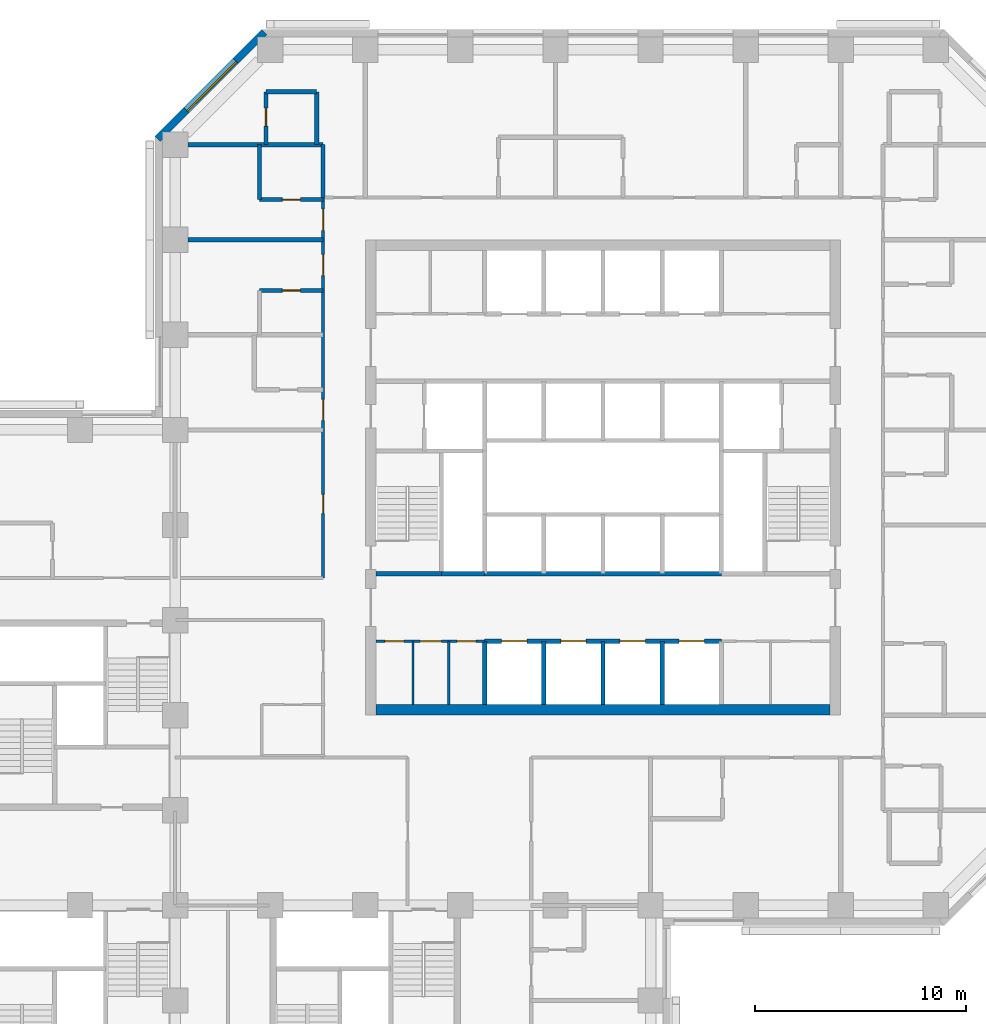
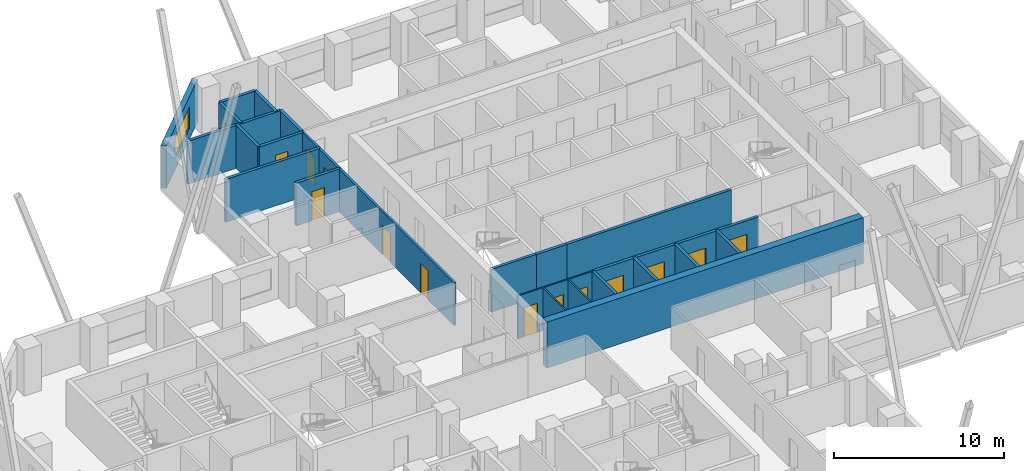
# One storey, part 8 of 13: 23 walls, 14 doors, 1 window, 15 openings.
"""IFC4 building model written with IfcOpenShell, lengths in metres."""

import ifcopenshell
import ifcopenshell.guid

model = None  # the IFC model being written
_history = None  # IfcOwnerHistory: only IFC2X3 demands one
_inside = {}  # id of a spatial element -> (the spatial element, [elements in it])
_under = {}  # id of a project, library or spatial element -> (it, [spatial elements below it])
_declared = {}  # id of a project -> (the project, [libraries it declares])
_typed = {}  # id of a type object -> (the type object, [elements of that type])
_made_of = {}  # id of a material, layer set ... -> (it, [elements and type objects made of it])


def new_model(schema):
    """Start an empty IFC model of exactly this schema.

    Asked for "IFC4X3", IfcOpenShell would pick the latest addendum, in which some entities
    have other attributes; the version numbers below select the first issue.
    IFC2X3 requires an IfcOwnerHistory on every rooted entity: one is made here for all.
    """
    global model, _history
    if schema == "IFC4X3":
        model = ifcopenshell.file(schema_version=(4, 3, 0, 0))
    else:
        model = ifcopenshell.file(schema=schema)
    _inside.clear()
    _under.clear()
    _declared.clear()
    _typed.clear()
    _made_of.clear()
    _history = None
    if model.schema == "IFC2X3":
        org = make("IfcOrganization", Name="unknown")
        user = make(
            "IfcPersonAndOrganization",
            ThePerson=make("IfcPerson", FamilyName="unknown"),
            TheOrganization=org,
        )
        app = make(
            "IfcApplication",
            ApplicationDeveloper=org,
            Version="unknown",
            ApplicationFullName="unknown",
            ApplicationIdentifier="unknown",
        )
        _history = make(
            "IfcOwnerHistory",
            OwningUser=user,
            OwningApplication=app,
            ChangeAction="ADDED",
            CreationDate=0,
        )
    return model


def make(cls, **values):
    """One entity of the class cls with the attributes given. An attribute that is None is left unset."""
    return model.create_entity(
        cls, **{name: value for name, value in values.items() if value is not None}
    )


def rooted(cls, **values):
    """An entity with a GlobalId (a new one), such as an element, a storey or a relation."""
    return make(cls, GlobalId=ifcopenshell.guid.new(), OwnerHistory=_history, **values)


def si_unit(unit_type, name, prefix=None):
    """IfcSIUnit, for example si_unit("LENGTHUNIT", "METRE", prefix="MILLI")."""
    return make("IfcSIUnit", UnitType=unit_type, Prefix=prefix, Name=name)


def assignment(units):
    """IfcUnitAssignment: the units of a project."""
    return None if units is None else make("IfcUnitAssignment", Units=units)


def point(xyz):
    """IfcCartesianPoint."""
    return None if xyz is None else make("IfcCartesianPoint", Coordinates=xyz)


def direction(xyz):
    """IfcDirection."""
    return None if xyz is None else make("IfcDirection", DirectionRatios=xyz)


def frame(location, z_axis=None, x_axis=None):
    """IfcAxis2Placement3D, a coordinate frame: its origin and axes. An axis left out is left unset."""
    return make(
        "IfcAxis2Placement3D",
        Location=point(location),
        Axis=direction(z_axis),
        RefDirection=direction(x_axis),
    )


def frame_2d(location, x_axis=None):
    """IfcAxis2Placement2D, a coordinate frame in the plane: its origin and x axis."""
    return make(
        "IfcAxis2Placement2D", Location=point(location), RefDirection=direction(x_axis)
    )


def origin():
    """The frame at (0, 0, 0) with its axes left unset."""
    return frame((0.0, 0.0, 0.0))


def place(relative_to, where):
    """IfcLocalPlacement: puts the frame where relative to a parent placement (None: the world)."""
    return make(
        "IfcLocalPlacement", PlacementRelTo=relative_to, RelativePlacement=where
    )


def context(
    kind, dimensions, precision=None, world=None, true_north=None, identifier=None
):
    """IfcGeometricRepresentationContext, for example the 3D "Model" context."""
    return make(
        "IfcGeometricRepresentationContext",
        ContextIdentifier=identifier,
        ContextType=kind,
        CoordinateSpaceDimension=dimensions,
        Precision=precision,
        WorldCoordinateSystem=world,
        TrueNorth=true_north,
    )


def subcontext(parent, identifier, kind, view, scale=None):
    """IfcGeometricRepresentationSubContext, for example "Body" below "Model"."""
    return make(
        "IfcGeometricRepresentationSubContext",
        ContextIdentifier=identifier,
        ContextType=kind,
        ParentContext=parent,
        TargetScale=scale,
        TargetView=view,
    )


def project(units=None, contexts=None):
    """IfcProject with its units and contexts."""
    return rooted(
        "IfcProject",
        Name="project",
        RepresentationContexts=contexts,
        UnitsInContext=assignment(units),
    )


def spatial(cls, under=None, at=None, **own):
    """A site, building, storey or space (cls), placed at a placement, below another one or the project."""
    s = rooted(cls, ObjectPlacement=at, **own)
    if under is not None:
        _under.setdefault(under.id(), (under, []))[1].append(s)
    return s


def profile(cls, at=None, kind="AREA", **sizes):
    """A parametric profile (cls). Its sizes go by their IFC names, for example OverallWidth=200.0."""
    return make(cls, ProfileType=kind, Position=at, **sizes)


def rectangle(**sizes):
    """IfcRectangleProfileDef."""
    return profile("IfcRectangleProfileDef", **sizes)


def extrude(swept, where, along, depth):
    """IfcExtrudedAreaSolid: the profile swept, set in the frame where, extruded along a direction by depth."""
    return make(
        "IfcExtrudedAreaSolid",
        SweptArea=swept,
        Position=where,
        ExtrudedDirection=direction(along),
        Depth=depth,
    )


def shape(context_of_items, identifier, shape_type, items):
    """IfcShapeRepresentation: the items that make up one representation, for example the "Body"."""
    return make(
        "IfcShapeRepresentation",
        ContextOfItems=context_of_items,
        RepresentationIdentifier=identifier,
        RepresentationType=shape_type,
        Items=items,
    )


def material(Name=None, Category=None):
    """IfcMaterial."""
    return make("IfcMaterial", Name=Name, Category=Category)


def layer(
    of_material, thickness, ventilated=None, Name=None, Category=None, Priority=None
):
    """IfcMaterialLayer: one layer of a wall or slab, of a material (None: an air gap)."""
    return make(
        "IfcMaterialLayer",
        Material=of_material,
        LayerThickness=thickness,
        IsVentilated=ventilated,
        Name=Name,
        Category=Category,
        Priority=Priority,
    )


def layer_set(layers, Name=None):
    """IfcMaterialLayerSet."""
    return make("IfcMaterialLayerSet", MaterialLayers=layers, LayerSetName=Name)


def constituent(of_material, Name=None, Category=None, fraction=None):
    """IfcMaterialConstituent: one of the materials an element consists of."""
    return make(
        "IfcMaterialConstituent",
        Name=Name,
        Material=of_material,
        Fraction=fraction,
        Category=Category,
    )


def constituent_set(constituents=None, Name=None):
    """IfcMaterialConstituentSet."""
    return make(
        "IfcMaterialConstituentSet", Name=Name, MaterialConstituents=constituents
    )


def made_of(thing, what):
    """Note that an element or type object is made of a material, layer set ...; save() writes the relation."""
    if what is not None:
        _made_of.setdefault(what.id(), (what, []))[1].append(thing)
    return thing


def type_object(cls, material=None, **own):
    """A type object (cls), such as IfcWallType, which elements share."""
    return made_of(rooted(cls, **own), material)


def element(
    cls,
    number,
    at=None,
    inside=None,
    cuts=None,
    type_object=None,
    material=None,
    context=None,
    identifier="Body",
    shape_type=None,
    held_by="IfcProductDefinitionShape",
    body=None,
    shapes=None,
    **own,
):
    """One element of the class cls, such as IfcWall. Its Tag is "e" and its number.

    at: its placement. inside: the storey or other place that contains it. cuts: it is an
    opening in that element (IfcRelVoidsElement). A single representation is given by context,
    identifier, shape_type and body (its items); several are given by shapes. held_by: the class
    of the entity that holds the representations. save() writes the other relations.
    """
    e = rooted(cls, Tag="e%d" % number, ObjectPlacement=at, **own)
    if body is not None:
        shapes = [shape(context, identifier, shape_type, body)]
    if shapes is not None:
        e.Representation = make(held_by, Representations=shapes)
    if inside is not None:
        _inside.setdefault(inside.id(), (inside, []))[1].append(e)
    if cuts is not None:
        rooted(
            "IfcRelVoidsElement", RelatingBuildingElement=cuts, RelatedOpeningElement=e
        )
    if type_object is not None:
        _typed.setdefault(type_object.id(), (type_object, []))[1].append(e)
    return made_of(e, material)


def fill(opening, filler):
    """IfcRelFillsElement: the door or window that sits in an opening."""
    return rooted(
        "IfcRelFillsElement",
        RelatingOpeningElement=opening,
        RelatedBuildingElement=filler,
    )


def aggregate(whole, parts):
    """IfcRelAggregates: a whole, such as a stair, and the parts it consists of."""
    return rooted("IfcRelAggregates", RelatingObject=whole, RelatedObjects=parts)


def save(model, path):
    """Write the relations noted so far, then the file.

    IfcRelAggregates (storeys below a building ...), IfcRelContainedInSpatialStructure (elements
    in a storey), IfcRelDefinesByType, IfcRelAssociatesMaterial and IfcRelDeclares: one each for
    every whole, place, type object, material and project.
    """
    for whole, parts in _under.values():
        aggregate(whole, parts)
    for where, things in _inside.values():
        rooted(
            "IfcRelContainedInSpatialStructure",
            RelatedElements=things,
            RelatingStructure=where,
        )
    for kind, things in _typed.values():
        rooted("IfcRelDefinesByType", RelatedObjects=things, RelatingType=kind)
    for what, things in _made_of.values():
        rooted("IfcRelAssociatesMaterial", RelatedObjects=things, RelatingMaterial=what)
    for by, libraries in _declared.values():
        rooted("IfcRelDeclares", RelatingContext=by, RelatedDefinitions=libraries)
    model.write(path)


model = new_model("IFC4")

# Units and contexts
model_context = context("Model", 3, precision=1e-05, world=origin(), true_north=direction((0.0, 1.0)))
body_context = subcontext(model_context, "Body", "Model", "MODEL_VIEW")
ifc_project = project(units=[si_unit("LENGTHUNIT", "METRE"), si_unit("AREAUNIT", "SQUARE_METRE"), si_unit("VOLUMEUNIT", "CUBIC_METRE"), si_unit("PLANEANGLEUNIT", "RADIAN"), si_unit("MASSUNIT", "GRAM", prefix="KILO")], contexts=[model_context])

# Site, building, storey
site_placement = place(None, origin())
site = spatial("IfcSite", under=ifc_project, at=site_placement, CompositionType="ELEMENT")
building_placement = place(site_placement, origin())
building = spatial("IfcBuilding", under=site, at=building_placement, Name="Quoin Convention Tower", CompositionType="ELEMENT")
storey_placement = place(building_placement, frame((0.0, 0.0, 52.800048828125)))
storey = spatial("IfcBuildingStorey", under=building, at=storey_placement, Name="L13", CompositionType="ELEMENT", Elevation=52.800048828125)

# Wall, opening, window
ifc_material_1 = material(Name="Brick masonry", Category="masonry")
ifc_layer_1 = layer(ifc_material_1, 0.35009765625)
ifc_layer_set_1 = layer_set([ifc_layer_1], Name="Brick masonry")
wall_type_1 = type_object("IfcWallType", Name="Brick facade wall", PredefinedType="STANDARD", material=ifc_layer_set_1)
wall_1_placement = place(storey_placement, frame((40.230224609375, 81.826416015625, 0.0), z_axis=(0.0, 0.0, 1.0), x_axis=(-0.707106781187, -0.707106781187, 0.0)))
wall_1 = element("IfcWall", 1, at=wall_1_placement, inside=storey, type_object=wall_type_1, Name="fw-L13-40500_81000", PredefinedType="STANDARD", context=body_context, shape_type="SweptSolid", body=[
    extrude(rectangle(XDim=7.151123046875, YDim=0.35009765625, at=frame_2d((3.57568359375, 0.0))), origin(), (0.0, 0.0, 1.0), 3.054931640625),
])
opening_1_placement = place(wall_1_placement, frame((1.925537109375, 0.0, 0.800048828125)))
opening_1 = element("IfcOpeningElement", 2, at=opening_1_placement, cuts=wall_1, Name="Opening W-01", PredefinedType="OPENING", context=body_context, shape_type="SweptSolid", body=[
    extrude(rectangle(XDim=3.300048828125, YDim=1.5, at=frame_2d((1.64990234375, 0.75))), frame((0.0, 0.18505859375, 0.0), z_axis=(0.0, -1.0, 0.0), x_axis=(1.0, 0.0, 0.0)), (0.0, 0.0, 1.0), 0.3701171875),
])
ifc_material_2 = material(Name="Aluminium", Category="aluminium")
ifc_constituent_1 = constituent(ifc_material_2, Name="Frame")
ifc_material_3 = material(Name="Insulated glass", Category="glass")
ifc_constituent_2 = constituent(ifc_material_3, Name="Glazing")
ifc_constituent_set = constituent_set(constituents=[ifc_constituent_1, ifc_constituent_2], Name="Aluminium")
window_type = type_object("IfcWindowType", Name="Hotel strip window", PartitioningType="DOUBLE_PANEL_VERTICAL", PredefinedType="WINDOW", material=ifc_constituent_set)
window_placement = place(opening_1_placement, origin())
window = element("IfcWindow", 3, at=window_placement, inside=storey, type_object=window_type, Name="win-L13-37702_79298", OverallHeight=1.5, OverallWidth=3.300048828125, PartitioningType="SINGLE_PANEL", PredefinedType="WINDOW", context=body_context, shape_type="SweptSolid", body=[
    extrude(rectangle(XDim=3.300048828125, YDim=1.5, at=frame_2d((1.64990234375, 0.75))), frame((0.0, 0.0849609375, 0.0), z_axis=(0.0, -1.0, 0.0), x_axis=(1.0, 0.0, 0.0)), (0.0, 0.0, 1.0), 0.06005859375),
])
fill(opening_1, window)

# Wall, openings, doors
ifc_material_4 = material(Name="Plasterboard")
ifc_layer_2 = layer(ifc_material_4, 0.012451171875, Name="Finish")
ifc_material_5 = material(Name="Steel stud framing", Category="steel")
ifc_layer_3 = layer(ifc_material_5, 0.074951171875, Name="Structure")
ifc_layer_4 = layer(ifc_material_4, 0.012451171875, Name="Finish")
ifc_layer_set_2 = layer_set([ifc_layer_2, ifc_layer_3, ifc_layer_4], Name="Steel stud framing")
wall_type_2 = type_object("IfcWallType", Name="Core partition wall", PredefinedType="PARTITIONING", material=ifc_layer_set_2)
wall_2_placement = place(storey_placement, frame((45.5, 53.0, 0.0), z_axis=(0.0, 0.0, 1.0), x_axis=(1.0, 0.0, 0.0)))
wall_2 = element("IfcWall", 4, at=wall_2_placement, inside=storey, type_object=wall_type_2, Name="cr-C1-L13-h3500_500", PredefinedType="PARTITIONING", context=body_context, shape_type="SweptSolid", body=[
    extrude(rectangle(XDim=5.14990234375, YDim=0.10009765625, at=frame_2d((2.574951171875, 0.0))), origin(), (0.0, 0.0, 1.0), 3.079833984375),
])
opening_2_placement = place(wall_2_placement, frame((0.425537109375, 0.0, 0.0)))
opening_2 = element("IfcOpeningElement", 5, at=opening_2_placement, cuts=wall_2, Name="Opening DCV5-44", PredefinedType="OPENING", context=body_context, shape_type="SweptSolid", body=[
    extrude(rectangle(XDim=0.89990234375, YDim=2.10009765625, at=frame_2d((0.449951171875, 1.050048828125))), frame((0.0, 0.06005859375, 0.0), z_axis=(0.0, -1.0, 0.0), x_axis=(1.0, 0.0, 0.0)), (0.0, 0.0, 1.0), 0.1201171875),
])
opening_3_placement = place(wall_2_placement, frame((2.1005859375, 0.0, 0.0)))
opening_3 = element("IfcOpeningElement", 6, at=opening_3_placement, cuts=wall_2, Name="Opening DCV5-45", PredefinedType="OPENING", context=body_context, shape_type="SweptSolid", body=[
    extrude(rectangle(XDim=1.0, YDim=2.10009765625, at=frame_2d((0.5, 1.050048828125))), frame((0.0, 0.06005859375, 0.0), z_axis=(0.0, -1.0, 0.0), x_axis=(1.0, 0.0, 0.0)), (0.0, 0.0, 1.0), 0.1201171875),
])
opening_4_placement = place(wall_2_placement, frame((3.85009765625, 0.0, 0.0)))
opening_4 = element("IfcOpeningElement", 7, at=opening_4_placement, cuts=wall_2, Name="Opening DCV5-46", PredefinedType="OPENING", context=body_context, shape_type="SweptSolid", body=[
    extrude(rectangle(XDim=0.89990234375, YDim=2.10009765625, at=frame_2d((0.449951171875, 1.050048828125))), frame((0.0, 0.06005859375, 0.0), z_axis=(0.0, -1.0, 0.0), x_axis=(1.0, 0.0, 0.0)), (0.0, 0.0, 1.0), 0.1201171875),
])
ifc_material_6 = material(Name="Steel door leaf", Category="steel")
door_type_1 = type_object("IfcDoorType", Name="Core room door 1000 x 2100", OperationType="SINGLE_SWING_LEFT", PredefinedType="DOOR", material=ifc_material_6)
door_1_placement = place(opening_3_placement, frame((1.0, 0.0, 0.0), z_axis=(0.0, 0.0, 1.0), x_axis=(-1.0, 0.0, 0.0)))
door_1 = element("IfcDoor", 8, at=door_1_placement, inside=storey, type_object=door_type_1, Name="cd-C1-L13-CSW1-lobA-CD1313", OperationType="SINGLE_SWING_LEFT", OverallHeight=2.10009765625, OverallWidth=1.0, PredefinedType="DOOR", context=body_context, shape_type="SweptSolid", body=[
    extrude(rectangle(XDim=1.0, YDim=2.10009765625, at=frame_2d((0.5, 1.050048828125))), frame((0.0, 0.02490234375, 0.0), z_axis=(0.0, -1.0, 0.0), x_axis=(1.0, 0.0, 0.0)), (0.0, 0.0, 1.0), 0.050048828125),
])
fill(opening_3, door_1)
door_type_2 = type_object("IfcDoorType", Name="Core room door 900 x 2100", OperationType="SINGLE_SWING_LEFT", PredefinedType="DOOR", material=ifc_material_6)
door_2_placement = place(opening_2_placement, frame((0.89990234375, 0.0, 0.0), z_axis=(0.0, 0.0, 1.0), x_axis=(-1.0, 0.0, 0.0)))
door_2 = element("IfcDoor", 9, at=door_2_placement, inside=storey, type_object=door_type_2, Name="cd-C1-L13-CSW0-lobA-CD1312", OperationType="SINGLE_SWING_LEFT", OverallHeight=2.10009765625, OverallWidth=0.89990234375, PredefinedType="DOOR", context=body_context, shape_type="SweptSolid", body=[
    extrude(rectangle(XDim=0.89990234375, YDim=2.10009765625, at=frame_2d((0.449951171875, 1.050048828125))), frame((0.0, 0.02490234375, 0.0), z_axis=(0.0, -1.0, 0.0), x_axis=(1.0, 0.0, 0.0)), (0.0, 0.0, 1.0), 0.050048828125),
])
fill(opening_2, door_2)
door_3_placement = place(opening_4_placement, frame((0.89990234375, 0.0, 0.0), z_axis=(0.0, 0.0, 1.0), x_axis=(-1.0, 0.0, 0.0)))
door_3 = element("IfcDoor", 10, at=door_3_placement, inside=storey, type_object=door_type_2, Name="cd-C1-L13-CSW2-lobA-CD1314", OperationType="SINGLE_SWING_LEFT", OverallHeight=2.10009765625, OverallWidth=0.89990234375, PredefinedType="DOOR", context=body_context, shape_type="SweptSolid", body=[
    extrude(rectangle(XDim=0.89990234375, YDim=2.10009765625, at=frame_2d((0.449951171875, 1.050048828125))), frame((0.0, 0.02490234375, 0.0), z_axis=(0.0, -1.0, 0.0), x_axis=(1.0, 0.0, 0.0)), (0.0, 0.0, 1.0), 0.050048828125),
])
fill(opening_4, door_3)

# Walls
for number, where, z_axis, x_axis, name in (
    (11, (47.2509765625, 50.0, 0.0), (0.0, 0.0, 1.0), (0.0, 1.0, 0.0), "cr-C1-L13-v2251_500"),
    (12, (48.950439453125, 50.0, 0.0), (0.0, 0.0, 1.0), (0.0, 1.0, 0.0), "cr-C1-L13-v3950_500"),
):
    element("IfcWall", number, at=place(storey_placement, frame(where, z_axis=z_axis, x_axis=x_axis)), inside=storey, type_object=wall_type_2, Name=name, PredefinedType="PARTITIONING", context=body_context, shape_type="SweptSolid", body=[
        extrude(rectangle(XDim=3.0, YDim=0.10009765625, at=frame_2d((1.5, 0.0))), origin(), (0.0, 0.0, 1.0), 3.079833984375),
    ])

# Wall, openings, doors
ifc_material_7 = material(Name="Concrete C50", Category="concrete")
ifc_layer_5 = layer(ifc_material_7, 0.199951171875)
ifc_layer_set_3 = layer_set([ifc_layer_5], Name="Concrete C50")
wall_type_3 = type_object("IfcWallType", Name="Core shaft wall", PredefinedType="SOLIDWALL", material=ifc_layer_set_3)
wall_3_placement = place(storey_placement, frame((50.64990234375, 53.0, 0.0), z_axis=(0.0, 0.0, 1.0), x_axis=(1.0, 0.0, 0.0)))
wall_3 = element("IfcWall", 13, at=wall_3_placement, inside=storey, type_object=wall_type_3, Name="cr-C1-L13-h3500_5650", PredefinedType="SOLIDWALL", context=body_context, shape_type="SweptSolid", body=[
    extrude(rectangle(XDim=11.2001953125, YDim=0.199951171875, at=frame_2d((5.60009765625, 0.0))), origin(), (0.0, 0.0, 1.0), 3.079833984375),
])
opening_5_placement = place(wall_3_placement, frame((0.800048828125, 0.0, 0.0)))
opening_5 = element("IfcOpeningElement", 14, at=opening_5_placement, cuts=wall_3, Name="Opening LDL1", PredefinedType="OPENING", context=body_context, shape_type="SweptSolid", body=[
    extrude(rectangle(XDim=1.199951171875, YDim=2.10009765625, at=frame_2d((0.60009765625, 1.050048828125))), frame((0.0, 0.10986328125, 0.0), z_axis=(0.0, -1.0, 0.0), x_axis=(1.0, 0.0, 0.0)), (0.0, 0.0, 1.0), 0.219970703125),
])
opening_6_placement = place(wall_3_placement, frame((3.60009765625, 0.0, 0.0)))
opening_6 = element("IfcOpeningElement", 15, at=opening_6_placement, cuts=wall_3, Name="Opening LDL2", PredefinedType="OPENING", context=body_context, shape_type="SweptSolid", body=[
    extrude(rectangle(XDim=1.199951171875, YDim=2.10009765625, at=frame_2d((0.60009765625, 1.050048828125))), frame((0.0, 0.10986328125, 0.0), z_axis=(0.0, -1.0, 0.0), x_axis=(1.0, 0.0, 0.0)), (0.0, 0.0, 1.0), 0.219970703125),
])
opening_7_placement = place(wall_3_placement, frame((6.39990234375, 0.0, 0.0)))
opening_7 = element("IfcOpeningElement", 16, at=opening_7_placement, cuts=wall_3, Name="Opening LDL3", PredefinedType="OPENING", context=body_context, shape_type="SweptSolid", body=[
    extrude(rectangle(XDim=1.199951171875, YDim=2.10009765625, at=frame_2d((0.60009765625, 1.050048828125))), frame((0.0, 0.10986328125, 0.0), z_axis=(0.0, -1.0, 0.0), x_axis=(1.0, 0.0, 0.0)), (0.0, 0.0, 1.0), 0.219970703125),
])
opening_8_placement = place(wall_3_placement, frame((9.199951171875, 0.0, 0.0)))
opening_8 = element("IfcOpeningElement", 17, at=opening_8_placement, cuts=wall_3, Name="Opening LDL4", PredefinedType="OPENING", context=body_context, shape_type="SweptSolid", body=[
    extrude(rectangle(XDim=1.199951171875, YDim=2.10009765625, at=frame_2d((0.60009765625, 1.050048828125))), frame((0.0, 0.10986328125, 0.0), z_axis=(0.0, -1.0, 0.0), x_axis=(1.0, 0.0, 0.0)), (0.0, 0.0, 1.0), 0.219970703125),
])
door_type_3 = type_object("IfcDoorType", Name="Lift landing door 1200 x 2100", OperationType="DOUBLE_DOOR_SLIDING", PredefinedType="DOOR", material=ifc_material_6)
door_4_placement = place(opening_5_placement, origin())
door_4 = element("IfcDoor", 18, at=door_4_placement, inside=storey, type_object=door_type_3, Name="cd-C1-L13-R10-lobA-LDL1", OperationType="DOUBLE_DOOR_SLIDING", OverallHeight=2.10009765625, OverallWidth=1.199951171875, PredefinedType="DOOR", context=body_context, shape_type="SweptSolid", body=[
    extrude(rectangle(XDim=1.199951171875, YDim=2.10009765625, at=frame_2d((0.60009765625, 1.050048828125))), frame((0.0, 0.02490234375, 0.0), z_axis=(0.0, -1.0, 0.0), x_axis=(1.0, 0.0, 0.0)), (0.0, 0.0, 1.0), 0.050048828125),
])
fill(opening_5, door_4)
door_5_placement = place(opening_6_placement, origin())
door_5 = element("IfcDoor", 19, at=door_5_placement, inside=storey, type_object=door_type_3, Name="cd-C1-L13-R11-lobA-LDL2", OperationType="DOUBLE_DOOR_SLIDING", OverallHeight=2.10009765625, OverallWidth=1.199951171875, PredefinedType="DOOR", context=body_context, shape_type="SweptSolid", body=[
    extrude(rectangle(XDim=1.199951171875, YDim=2.10009765625, at=frame_2d((0.60009765625, 1.050048828125))), frame((0.0, 0.02490234375, 0.0), z_axis=(0.0, -1.0, 0.0), x_axis=(1.0, 0.0, 0.0)), (0.0, 0.0, 1.0), 0.050048828125),
])
fill(opening_6, door_5)
door_6_placement = place(opening_7_placement, origin())
door_6 = element("IfcDoor", 20, at=door_6_placement, inside=storey, type_object=door_type_3, Name="cd-C1-L13-R12-lobA-LDL3", OperationType="DOUBLE_DOOR_SLIDING", OverallHeight=2.10009765625, OverallWidth=1.199951171875, PredefinedType="DOOR", context=body_context, shape_type="SweptSolid", body=[
    extrude(rectangle(XDim=1.199951171875, YDim=2.10009765625, at=frame_2d((0.60009765625, 1.050048828125))), frame((0.0, 0.02490234375, 0.0), z_axis=(0.0, -1.0, 0.0), x_axis=(1.0, 0.0, 0.0)), (0.0, 0.0, 1.0), 0.050048828125),
])
fill(opening_7, door_6)
door_7_placement = place(opening_8_placement, origin())
door_7 = element("IfcDoor", 21, at=door_7_placement, inside=storey, type_object=door_type_3, Name="cd-C1-L13-R13-lobA-LDL4", OperationType="DOUBLE_DOOR_SLIDING", OverallHeight=2.10009765625, OverallWidth=1.199951171875, PredefinedType="DOOR", context=body_context, shape_type="SweptSolid", body=[
    extrude(rectangle(XDim=1.199951171875, YDim=2.10009765625, at=frame_2d((0.60009765625, 1.050048828125))), frame((0.0, 0.02490234375, 0.0), z_axis=(0.0, -1.0, 0.0), x_axis=(1.0, 0.0, 0.0)), (0.0, 0.0, 1.0), 0.050048828125),
])
fill(opening_8, door_7)

# Walls
wall_4_placement = place(storey_placement, frame((48.60009765625, 56.199951171875, 0.0), z_axis=(0.0, 0.0, 1.0), x_axis=(1.0, 0.0, 0.0)))
element("IfcWall", 22, at=wall_4_placement, inside=storey, type_object=wall_type_3, Name="cr-C1-L13-h6700_3600", PredefinedType="SOLIDWALL", context=body_context, shape_type="SweptSolid", body=[
    extrude(rectangle(XDim=2.0498046875, YDim=0.199951171875, at=frame_2d((1.02490234375, 0.0))), origin(), (0.0, 0.0, 1.0), 3.079833984375),
])
wall_5_placement = place(storey_placement, frame((45.5, 56.199951171875, 0.0), z_axis=(0.0, 0.0, 1.0), x_axis=(1.0, 0.0, 0.0)))
element("IfcWall", 23, at=wall_5_placement, inside=storey, type_object=wall_type_3, Name="cr-C1-L13-h6700_500", PredefinedType="SOLIDWALL", context=body_context, shape_type="SweptSolid", body=[
    extrude(rectangle(XDim=3.10009765625, YDim=0.199951171875, at=frame_2d((1.550048828125, 0.0))), origin(), (0.0, 0.0, 1.0), 3.079833984375),
])
wall_6_placement = place(storey_placement, frame((50.64990234375, 56.199951171875, 0.0), z_axis=(0.0, 0.0, 1.0), x_axis=(1.0, 0.0, 0.0)))
element("IfcWall", 24, at=wall_6_placement, inside=storey, type_object=wall_type_3, Name="cr-C1-L13-h6700_5650", PredefinedType="SOLIDWALL", context=body_context, shape_type="SweptSolid", body=[
    extrude(rectangle(XDim=11.2001953125, YDim=0.199951171875, at=frame_2d((5.60009765625, 0.0))), origin(), (0.0, 0.0, 1.0), 3.079833984375),
])
for number, where, z_axis, x_axis, name in (
    (25, (50.64990234375, 50.0, 0.0), (0.0, 0.0, 1.0), (0.0, 1.0, 0.0), "cr-C1-L13-v5650_500"),
    (26, (53.449951171875, 50.0, 0.0), (0.0, 0.0, 1.0), (0.0, 1.0, 0.0), "cr-C1-L13-v8450_500"),
    (27, (56.25, 50.0, 0.0), (0.0, 0.0, 1.0), (0.0, 1.0, 0.0), "cr-C1-L13-v11250_500"),
    (28, (59.050048828125, 50.0, 0.0), (0.0, 0.0, 1.0), (0.0, 1.0, 0.0), "cr-C1-L13-v14050_500"),
):
    element("IfcWall", number, at=place(storey_placement, frame(where, z_axis=z_axis, x_axis=x_axis)), inside=storey, type_object=wall_type_3, Name=name, PredefinedType="SOLIDWALL", context=body_context, shape_type="SweptSolid", body=[
        extrude(rectangle(XDim=3.0, YDim=0.199951171875, at=frame_2d((1.5, 0.0))), origin(), (0.0, 0.0, 1.0), 3.079833984375),
    ])
ifc_material_8 = material(Name="Concrete C80", Category="concrete")
ifc_layer_6 = layer(ifc_material_8, 0.5)
ifc_layer_set_4 = layer_set([ifc_layer_6], Name="Concrete C80")
wall_type_4 = type_object("IfcWallType", Name="RC CORE WALL 500 C80", PredefinedType="SHEAR", material=ifc_layer_set_4)
wall_7_placement = place(storey_placement, frame((45.5, 49.75, 0.0), z_axis=(0.0, 0.0, 1.0), x_axis=(1.0, 0.0, 0.0)))
element("IfcWall", 29, at=wall_7_placement, inside=storey, type_object=wall_type_4, Name="cwl-C1-L13-S", PredefinedType="SHEAR", context=body_context, shape_type="SweptSolid", body=[
    extrude(rectangle(XDim=21.5, YDim=0.5, at=frame_2d((10.75, 0.0))), origin(), (0.0, 0.0, 1.0), 3.300048828125),
])

# Wall, opening, door
ifc_layer_7 = layer(ifc_material_7, 0.199951171875)
ifc_layer_set_5 = layer_set([ifc_layer_7], Name="Concrete C50")
wall_type_5 = type_object("IfcWallType", Name="RC party wall", PredefinedType="SOLIDWALL", material=ifc_layer_set_5)
wall_8_placement = place(storey_placement, frame((40.0, 69.60009765625, 0.0), z_axis=(0.0, 0.0, 1.0), x_axis=(1.0, 0.0, 0.0)))
wall_8 = element("IfcWall", 30, at=wall_8_placement, inside=storey, type_object=wall_type_5, Name="pw-L13-116", PredefinedType="SOLIDWALL", context=body_context, shape_type="SweptSolid", body=[
    extrude(rectangle(XDim=3.0, YDim=0.199951171875, at=frame_2d((1.5, 0.0))), origin(), (0.0, 0.0, 1.0), 3.079833984375),
])
opening_9_placement = place(wall_8_placement, frame((1.074951171875, 0.0, 0.0)))
opening_9 = element("IfcOpeningElement", 31, at=opening_9_placement, cuts=wall_8, Name="Opening DHOTEL-B-64", PredefinedType="OPENING", context=body_context, shape_type="SweptSolid", body=[
    extrude(rectangle(XDim=0.85009765625, YDim=2.10009765625, at=frame_2d((0.425048828125, 1.050048828125))), frame((0.0, 0.10986328125, 0.0), z_axis=(0.0, -1.0, 0.0), x_axis=(1.0, 0.0, 0.0)), (0.0, 0.0, 1.0), 0.219970703125),
])
door_type_4 = type_object("IfcDoorType", Name="Bathroom door", OperationType="SINGLE_SWING_LEFT", PredefinedType="DOOR", material=ifc_material_6)
door_8_placement = place(opening_9_placement, origin())
door_8 = element("IfcDoor", 32, at=door_8_placement, inside=storey, type_object=door_type_4, Name="dr-L13-034", OperationType="SINGLE_SWING_RIGHT", OverallHeight=2.10009765625, OverallWidth=0.85009765625, PredefinedType="DOOR", context=body_context, shape_type="SweptSolid", body=[
    extrude(rectangle(XDim=0.85009765625, YDim=2.10009765625, at=frame_2d((0.425048828125, 1.050048828125))), frame((0.0, 0.02490234375, 0.0), z_axis=(0.0, -1.0, 0.0), x_axis=(1.0, 0.0, 0.0)), (0.0, 0.0, 1.0), 0.050048828125),
])
fill(opening_9, door_8)

# Wall
wall_9_placement = place(storey_placement, frame((36.60009765625, 72.0, 0.0), z_axis=(0.0, 0.0, 1.0), x_axis=(1.0, 0.0, 0.0)))
element("IfcWall", 33, at=wall_9_placement, inside=storey, type_object=wall_type_5, Name="pw-L13-119", PredefinedType="SOLIDWALL", context=body_context, shape_type="SweptSolid", body=[
    extrude(rectangle(XDim=6.39990234375, YDim=0.199951171875, at=frame_2d((3.199951171875, 0.0))), origin(), (0.0, 0.0, 1.0), 3.079833984375),
])

# Wall, opening, door
wall_10_placement = place(storey_placement, frame((40.0, 73.89990234375, 0.0), z_axis=(0.0, 0.0, 1.0), x_axis=(1.0, 0.0, 0.0)))
wall_10 = element("IfcWall", 34, at=wall_10_placement, inside=storey, type_object=wall_type_5, Name="pw-L13-121", PredefinedType="SOLIDWALL", context=body_context, shape_type="SweptSolid", body=[
    extrude(rectangle(XDim=3.0, YDim=0.199951171875, at=frame_2d((1.5, 0.0))), origin(), (0.0, 0.0, 1.0), 3.079833984375),
])
opening_10_placement = place(wall_10_placement, frame((1.074951171875, 0.0, 0.0)))
opening_10 = element("IfcOpeningElement", 35, at=opening_10_placement, cuts=wall_10, Name="Opening DHOTEL-B-66", PredefinedType="OPENING", context=body_context, shape_type="SweptSolid", body=[
    extrude(rectangle(XDim=0.85009765625, YDim=2.10009765625, at=frame_2d((0.425048828125, 1.050048828125))), frame((0.0, 0.10986328125, 0.0), z_axis=(0.0, -1.0, 0.0), x_axis=(1.0, 0.0, 0.0)), (0.0, 0.0, 1.0), 0.219970703125),
])
door_9_placement = place(opening_10_placement, frame((0.85009765625, 0.0, 0.0), z_axis=(0.0, 0.0, 1.0), x_axis=(-1.0, 0.0, 0.0)))
door_9 = element("IfcDoor", 36, at=door_9_placement, inside=storey, type_object=door_type_4, Name="dr-L13-036", OperationType="SINGLE_SWING_LEFT", OverallHeight=2.10009765625, OverallWidth=0.85009765625, PredefinedType="DOOR", context=body_context, shape_type="SweptSolid", body=[
    extrude(rectangle(XDim=0.85009765625, YDim=2.10009765625, at=frame_2d((0.425048828125, 1.050048828125))), frame((0.0, 0.02490234375, 0.0), z_axis=(0.0, -1.0, 0.0), x_axis=(1.0, 0.0, 0.0)), (0.0, 0.0, 1.0), 0.050048828125),
])
fill(opening_10, door_9)

# Walls
wall_11_placement = place(storey_placement, frame((40.0, 73.89990234375, 0.0), z_axis=(0.0, 0.0, 1.0), x_axis=(0.0, 1.0, 0.0)))
element("IfcWall", 37, at=wall_11_placement, inside=storey, type_object=wall_type_5, Name="pw-L13-122", PredefinedType="SOLIDWALL", context=body_context, shape_type="SweptSolid", body=[
    extrude(rectangle(XDim=2.60009765625, YDim=0.199951171875, at=frame_2d((1.300048828125, 0.0))), origin(), (0.0, 0.0, 1.0), 3.079833984375),
])
wall_12_placement = place(storey_placement, frame((43.0, 74.0, 0.0), z_axis=(0.0, 0.0, 1.0), x_axis=(0.0, 1.0, 0.0)))
element("IfcWall", 38, at=wall_12_placement, inside=storey, type_object=wall_type_5, Name="pw-L13-125", PredefinedType="SOLIDWALL", context=body_context, shape_type="SweptSolid", body=[
    extrude(rectangle(XDim=2.5, YDim=0.199951171875, at=frame_2d((1.25, 0.0))), origin(), (0.0, 0.0, 1.0), 3.079833984375),
])
wall_13_placement = place(storey_placement, frame((36.60009765625, 76.5, 0.0), z_axis=(0.0, 0.0, 1.0), x_axis=(1.0, 0.0, 0.0)))
element("IfcWall", 39, at=wall_13_placement, inside=storey, type_object=wall_type_5, Name="pw-L13-134", PredefinedType="SOLIDWALL", context=body_context, shape_type="SweptSolid", body=[
    extrude(rectangle(XDim=6.39990234375, YDim=0.199951171875, at=frame_2d((3.199951171875, 0.0))), origin(), (0.0, 0.0, 1.0), 3.079833984375),
])

# Wall, opening, door
wall_14_placement = place(storey_placement, frame((40.300048828125, 76.5, 0.0), z_axis=(0.0, 0.0, 1.0), x_axis=(0.0, 1.0, 0.0)))
wall_14 = element("IfcWall", 40, at=wall_14_placement, inside=storey, type_object=wall_type_5, Name="pw-L13-135", PredefinedType="SOLIDWALL", context=body_context, shape_type="SweptSolid", body=[
    extrude(rectangle(XDim=2.5, YDim=0.199951171875, at=frame_2d((1.25, 0.0))), origin(), (0.0, 0.0, 1.0), 3.079833984375),
])
opening_11_placement = place(wall_14_placement, frame((0.875, 0.0, 0.0)))
opening_11 = element("IfcOpeningElement", 41, at=opening_11_placement, cuts=wall_14, Name="Opening DHOTEL-B-71", PredefinedType="OPENING", context=body_context, shape_type="SweptSolid", body=[
    extrude(rectangle(XDim=0.85009765625, YDim=2.10009765625, at=frame_2d((0.425048828125, 1.050048828125))), frame((0.0, 0.10986328125, 0.0), z_axis=(0.0, -1.0, 0.0), x_axis=(1.0, 0.0, 0.0)), (0.0, 0.0, 1.0), 0.219970703125),
])
door_10_placement = place(opening_11_placement, origin())
door_10 = element("IfcDoor", 42, at=door_10_placement, inside=storey, type_object=door_type_4, Name="dr-L13-064", OperationType="SINGLE_SWING_RIGHT", OverallHeight=2.10009765625, OverallWidth=0.85009765625, PredefinedType="DOOR", context=body_context, shape_type="SweptSolid", body=[
    extrude(rectangle(XDim=0.85009765625, YDim=2.10009765625, at=frame_2d((0.425048828125, 1.050048828125))), frame((0.0, 0.02490234375, 0.0), z_axis=(0.0, -1.0, 0.0), x_axis=(1.0, 0.0, 0.0)), (0.0, 0.0, 1.0), 0.050048828125),
])
fill(opening_11, door_10)

# Walls
wall_15_placement = place(storey_placement, frame((42.699951171875, 76.5, 0.0), z_axis=(0.0, 0.0, 1.0), x_axis=(0.0, 1.0, 0.0)))
element("IfcWall", 43, at=wall_15_placement, inside=storey, type_object=wall_type_5, Name="pw-L13-136", PredefinedType="SOLIDWALL", context=body_context, shape_type="SweptSolid", body=[
    extrude(rectangle(XDim=2.5, YDim=0.199951171875, at=frame_2d((1.25, 0.0))), origin(), (0.0, 0.0, 1.0), 3.079833984375),
])
wall_16_placement = place(storey_placement, frame((40.300048828125, 79.0, 0.0), z_axis=(0.0, 0.0, 1.0), x_axis=(1.0, 0.0, 0.0)))
element("IfcWall", 44, at=wall_16_placement, inside=storey, type_object=wall_type_5, Name="pw-L13-142", PredefinedType="SOLIDWALL", context=body_context, shape_type="SweptSolid", body=[
    extrude(rectangle(XDim=2.39990234375, YDim=0.199951171875, at=frame_2d((1.199951171875, 0.0))), origin(), (0.0, 0.0, 1.0), 3.079833984375),
])

# Wall, openings, doors
ifc_layer_8 = layer(ifc_material_4, 0.012451171875, Name="Finish")
ifc_layer_9 = layer(ifc_material_5, 0.125, Name="Structure")
ifc_layer_10 = layer(ifc_material_4, 0.012451171875, Name="Finish")
ifc_layer_set_6 = layer_set([ifc_layer_8, ifc_layer_9, ifc_layer_10], Name="Steel stud framing")
wall_type_6 = type_object("IfcWallType", Name="corridor partition", PredefinedType="PARTITIONING", material=ifc_layer_set_6)
wall_17_placement = place(storey_placement, frame((43.0, 56.0, 0.0), z_axis=(0.0, 0.0, 1.0), x_axis=(0.0, 1.0, 0.0)))
wall_17 = element("IfcWall", 45, at=wall_17_placement, inside=storey, type_object=wall_type_6, Name="pw-L13-035", PredefinedType="PARTITIONING", context=body_context, shape_type="SweptSolid", body=[
    extrude(rectangle(XDim=18.0, YDim=0.14990234375, at=frame_2d((9.0, 0.0))), origin(), (0.0, 0.0, 1.0), 3.079833984375),
])
opening_12_placement = place(wall_17_placement, frame((7.449951171875, 0.0, 0.0)))
opening_12 = element("IfcOpeningElement", 46, at=opening_12_placement, cuts=wall_17, Name="Opening DHOTEL-B-34", PredefinedType="OPENING", context=body_context, shape_type="SweptSolid", body=[
    extrude(rectangle(XDim=1.0, YDim=2.10009765625, at=frame_2d((0.5, 1.050048828125))), frame((0.0, 0.0849609375, 0.0), z_axis=(0.0, -1.0, 0.0), x_axis=(1.0, 0.0, 0.0)), (0.0, 0.0, 1.0), 0.169921875),
])
opening_13_placement = place(wall_17_placement, frame((14.300048828125, 0.0, 0.0)))
opening_13 = element("IfcOpeningElement", 47, at=opening_13_placement, cuts=wall_17, Name="Opening DHOTEL-B-35", PredefinedType="OPENING", context=body_context, shape_type="SweptSolid", body=[
    extrude(rectangle(XDim=1.0, YDim=2.10009765625, at=frame_2d((0.5, 1.050048828125))), frame((0.0, 0.0849609375, 0.0), z_axis=(0.0, -1.0, 0.0), x_axis=(1.0, 0.0, 0.0)), (0.0, 0.0, 1.0), 0.169921875),
])
opening_14_placement = place(wall_17_placement, frame((16.449951171875, 0.0, 0.0)))
opening_14 = element("IfcOpeningElement", 48, at=opening_14_placement, cuts=wall_17, Name="Opening DHOTEL-B-36", PredefinedType="OPENING", context=body_context, shape_type="SweptSolid", body=[
    extrude(rectangle(XDim=1.0, YDim=2.10009765625, at=frame_2d((0.5, 1.050048828125))), frame((0.0, 0.0849609375, 0.0), z_axis=(0.0, -1.0, 0.0), x_axis=(1.0, 0.0, 0.0)), (0.0, 0.0, 1.0), 0.169921875),
])
opening_15_placement = place(wall_17_placement, frame((3.050048828125, 0.0, 0.0)))
opening_15 = element("IfcOpeningElement", 49, at=opening_15_placement, cuts=wall_17, Name="Opening DHOTEL-B-33", PredefinedType="OPENING", context=body_context, shape_type="SweptSolid", body=[
    extrude(rectangle(XDim=0.89990234375, YDim=2.10009765625, at=frame_2d((0.449951171875, 1.050048828125))), frame((0.0, 0.0849609375, 0.0), z_axis=(0.0, -1.0, 0.0), x_axis=(1.0, 0.0, 0.0)), (0.0, 0.0, 1.0), 0.169921875),
])
door_type_5 = type_object("IfcDoorType", Name="Hotel room door", OperationType="SINGLE_SWING_LEFT", PredefinedType="DOOR", material=ifc_material_6)
door_11_placement = place(opening_12_placement, origin())
door_11 = element("IfcDoor", 50, at=door_11_placement, inside=storey, type_object=door_type_5, Name="dr-L13-031", OperationType="SINGLE_SWING_RIGHT", OverallHeight=2.10009765625, OverallWidth=1.0, PredefinedType="DOOR", context=body_context, shape_type="SweptSolid", body=[
    extrude(rectangle(XDim=1.0, YDim=2.10009765625, at=frame_2d((0.5, 1.050048828125))), frame((0.0, 0.02490234375, 0.0), z_axis=(0.0, -1.0, 0.0), x_axis=(1.0, 0.0, 0.0)), (0.0, 0.0, 1.0), 0.050048828125),
])
fill(opening_12, door_11)
door_12_placement = place(opening_13_placement, origin())
door_12 = element("IfcDoor", 51, at=door_12_placement, inside=storey, type_object=door_type_5, Name="dr-L13-033", OperationType="SINGLE_SWING_RIGHT", OverallHeight=2.10009765625, OverallWidth=1.0, PredefinedType="DOOR", context=body_context, shape_type="SweptSolid", body=[
    extrude(rectangle(XDim=1.0, YDim=2.10009765625, at=frame_2d((0.5, 1.050048828125))), frame((0.0, 0.02490234375, 0.0), z_axis=(0.0, -1.0, 0.0), x_axis=(1.0, 0.0, 0.0)), (0.0, 0.0, 1.0), 0.050048828125),
])
fill(opening_13, door_12)
door_13_placement = place(opening_14_placement, origin())
door_13 = element("IfcDoor", 52, at=door_13_placement, inside=storey, type_object=door_type_5, Name="dr-L13-035", OperationType="SINGLE_SWING_RIGHT", OverallHeight=2.10009765625, OverallWidth=1.0, PredefinedType="DOOR", context=body_context, shape_type="SweptSolid", body=[
    extrude(rectangle(XDim=1.0, YDim=2.10009765625, at=frame_2d((0.5, 1.050048828125))), frame((0.0, 0.02490234375, 0.0), z_axis=(0.0, -1.0, 0.0), x_axis=(1.0, 0.0, 0.0)), (0.0, 0.0, 1.0), 0.050048828125),
])
fill(opening_14, door_13)
door_type_6 = type_object("IfcDoorType", Name="Single room door", OperationType="SINGLE_SWING_RIGHT", PredefinedType="DOOR", material=ifc_material_6)
door_14_placement = place(opening_15_placement, origin())
door_14 = element("IfcDoor", 53, at=door_14_placement, inside=storey, type_object=door_type_6, Name="dr-L13-075", OperationType="SINGLE_SWING_RIGHT", OverallHeight=2.10009765625, OverallWidth=0.89990234375, PredefinedType="DOOR", context=body_context, shape_type="SweptSolid", body=[
    extrude(rectangle(XDim=0.89990234375, YDim=2.10009765625, at=frame_2d((0.449951171875, 1.050048828125))), frame((0.0, 0.02490234375, 0.0), z_axis=(0.0, -1.0, 0.0), x_axis=(1.0, 0.0, 0.0)), (0.0, 0.0, 1.0), 0.050048828125),
])
fill(opening_15, door_14)

save(model, "model.ifc")
